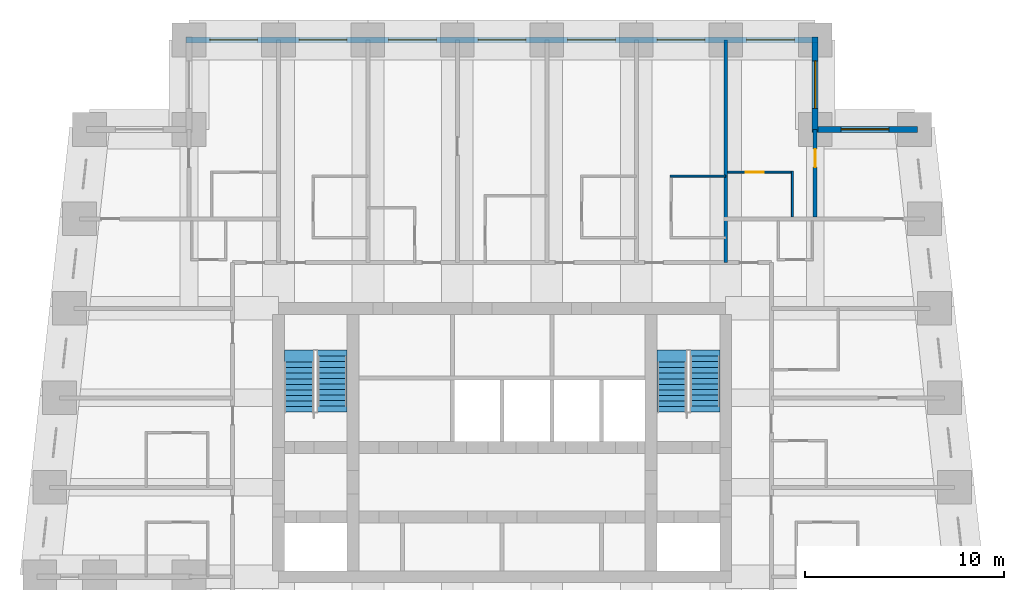
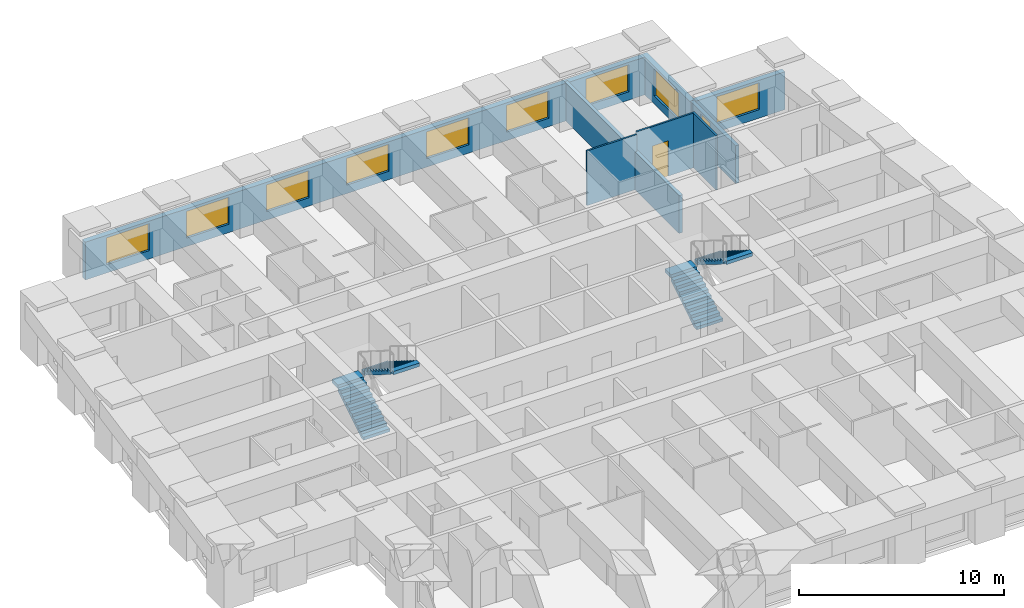
# One storey, part 7 of 8: 9 windows, 8 walls, 4 stair flights, 2 doors, 11 openings, 2 elements without a shape of their own.
"""IFC4 building model written with IfcOpenShell, lengths in metres."""

from ifc_helpers import new_model, si_unit, direction, frame, frame_2d, origin, place, context, subcontext, project, spatial, polyline, rectangle, outline, extrude, material, layer, layer_set, type_object, element, fill, aggregate, save


model = new_model("IFC4")

# Units and contexts
model_context = context("Model", 3, precision=1e-05, world=origin(), true_north=direction((0.0, 1.0)))
body_context = subcontext(model_context, "Body", "Model", "MODEL_VIEW")
ifc_project = project(units=[si_unit("LENGTHUNIT", "METRE"), si_unit("AREAUNIT", "SQUARE_METRE"), si_unit("VOLUMEUNIT", "CUBIC_METRE"), si_unit("PLANEANGLEUNIT", "RADIAN"), si_unit("MASSUNIT", "GRAM", prefix="KILO")], contexts=[model_context])

# Site, building, storey
site_placement = place(None, origin())
site = spatial("IfcSite", under=ifc_project, at=site_placement, CompositionType="ELEMENT")
building_placement = place(site_placement, origin())
building = spatial("IfcBuilding", under=site, at=building_placement, Name="Kilele Tower Hotel", CompositionType="ELEMENT")
storey_placement = place(building_placement, frame((0.0, 0.0, 162.39990234375)))
storey = spatial("IfcBuildingStorey", under=building, at=storey_placement, Name="L41", CompositionType="ELEMENT", Elevation=162.39990234375)

# Walls
ifc_material_1 = material(Name="Moisture-resistant board")
ifc_layer_1 = layer(ifc_material_1, 0.10009765625)
ifc_layer_set_1 = layer_set([ifc_layer_1], Name="Moisture-resistant board")
wall_type_1 = type_object("IfcWallType", Name="Bathroom partition 100", PredefinedType="PLUMBINGWALL", material=ifc_layer_set_1)
wall_1_placement = place(storey_placement, frame((33.199951171875, 33.64990234375, 0.0), z_axis=(0.0, 0.0, 1.0), x_axis=(1.0, 0.0, 0.0)))
element("IfcWall", 1, at=wall_1_placement, inside=storey, type_object=wall_type_1, Name="Bathroom partition 100 L41", PredefinedType="PLUMBINGWALL", context=body_context, shape_type="SweptSolid", body=[
    extrude(rectangle(XDim=2.800048828125, YDim=0.10009765625, at=frame_2d((1.39990234375, 0.0))), origin(), (0.0, 0.0, 1.0), 3.25),
])
wall_2_placement = place(storey_placement, frame((39.35009765625, 31.60009765625, 0.0), z_axis=(0.0, 0.0, 1.0), x_axis=(0.0, 1.0, 0.0)))
element("IfcWall", 2, at=wall_2_placement, inside=storey, type_object=wall_type_1, Name="Bathroom partition 100 L41", PredefinedType="PLUMBINGWALL", context=body_context, shape_type="SweptSolid", body=[
    extrude(rectangle(XDim=2.2998046875, YDim=0.10009765625, at=frame_2d((1.14990234375, 0.0))), origin(), (0.0, 0.0, 1.0), 3.25),
])

# Wall, opening, door
wall_3_placement = place(storey_placement, frame((36.10009765625, 33.85009765625, 0.0), z_axis=(0.0, 0.0, 1.0), x_axis=(1.0, 0.0, 0.0)))
wall_3 = element("IfcWall", 3, at=wall_3_placement, inside=storey, type_object=wall_type_1, Name="Bathroom partition 100 L41", PredefinedType="PLUMBINGWALL", context=body_context, shape_type="SweptSolid", body=[
    extrude(rectangle(XDim=3.2998046875, YDim=0.10009765625, at=frame_2d((1.64990234375, 0.0))), origin(), (0.0, 0.0, 1.0), 3.25),
])
opening_1_placement = place(wall_3_placement, frame((0.89990234375, 0.0, 0.0)))
opening_1 = element("IfcOpeningElement", 4, at=opening_1_placement, cuts=wall_3, Name="Opening D2A", PredefinedType="OPENING", context=body_context, shape_type="SweptSolid", body=[
    extrude(rectangle(XDim=0.89990234375, YDim=2.10009765625, at=frame_2d((0.449951171875, 1.050048828125))), frame((0.0, 0.06005859375, 0.0), z_axis=(0.0, -1.0, 0.0), x_axis=(1.0, 0.0, 0.0)), (0.0, 0.0, 1.0), 0.1201171875),
])
ifc_material_2 = material(Name="Timber door leaf in hardwood frame", Category="wood")
door_type_1 = type_object("IfcDoorType", Name="Bathroom door 900", OperationType="SINGLE_SWING_LEFT", PredefinedType="DOOR", material=ifc_material_2)
door_1_placement = place(opening_1_placement, origin())
door_1 = element("IfcDoor", 5, at=door_1_placement, inside=storey, type_object=door_type_1, Name="Bathroom door 4123B", OperationType="SINGLE_SWING_LEFT", OverallHeight=2.10009765625, OverallWidth=0.89990234375, PredefinedType="DOOR", context=body_context, shape_type="SweptSolid", body=[
    extrude(rectangle(XDim=0.89990234375, YDim=2.10009765625, at=frame_2d((0.449951171875, 1.050048828125))), frame((0.0, 0.02490234375, 0.0), z_axis=(0.0, -1.0, 0.0), x_axis=(1.0, 0.0, 0.0)), (0.0, 0.0, 1.0), 0.050048828125),
])
fill(opening_1, door_1)

ifc_material_3 = material(Name="Blockwork, plastered both sides", Category="masonry")
ifc_layer_2 = layer(ifc_material_3, 0.199951171875)
ifc_layer_set_2 = layer_set([ifc_layer_2], Name="Blockwork, plastered both sides")
wall_type_2 = type_object("IfcWallType", Name="Partition wall 200", PredefinedType="PARTITIONING", material=ifc_layer_set_2)
wall_4_placement = place(storey_placement, frame((40.5, 31.60009765625, 0.0), z_axis=(0.0, 0.0, 1.0), x_axis=(0.0, 1.0, 0.0)))
wall_4 = element("IfcWall", 6, at=wall_4_placement, inside=storey, type_object=wall_type_2, Name="Partition wall 200 L41", PredefinedType="PARTITIONING", context=body_context, shape_type="SweptSolid", body=[
    extrude(rectangle(XDim=4.39990234375, YDim=0.199951171875, at=frame_2d((2.199951171875, 0.0))), origin(), (0.0, 0.0, 1.0), 2.25),
])
opening_2_placement = place(wall_4_placement, frame((2.5, 0.0, 0.0)))
opening_2 = element("IfcOpeningElement", 7, at=opening_2_placement, cuts=wall_4, Name="Opening D3", PredefinedType="OPENING", context=body_context, shape_type="SweptSolid", body=[
    extrude(rectangle(XDim=0.89990234375, YDim=2.10009765625, at=frame_2d((0.449951171875, 1.050048828125))), frame((0.0, 0.10986328125, 0.0), z_axis=(0.0, -1.0, 0.0), x_axis=(1.0, 0.0, 0.0)), (0.0, 0.0, 1.0), 0.219970703125),
])
ifc_material_4 = material(Name="Timber door leaf in hardwood frame", Category="wood")
door_type_2 = type_object("IfcDoorType", Name="Suite internal door 900", OperationType="SINGLE_SWING_LEFT", PredefinedType="DOOR", material=ifc_material_4)
door_2_placement = place(opening_2_placement, origin())
door_2 = element("IfcDoor", 8, at=door_2_placement, inside=storey, type_object=door_type_2, Name="Suite door 4124", OperationType="SINGLE_SWING_RIGHT", OverallHeight=2.10009765625, OverallWidth=0.89990234375, PredefinedType="DOOR", context=body_context, shape_type="SweptSolid", body=[
    extrude(rectangle(XDim=0.89990234375, YDim=2.10009765625, at=frame_2d((0.449951171875, 1.050048828125))), frame((0.0, 0.02490234375, 0.0), z_axis=(0.0, -1.0, 0.0), x_axis=(1.0, 0.0, 0.0)), (0.0, 0.0, 1.0), 0.050048828125),
])
fill(opening_2, door_2)

# Wall
ifc_material_5 = material(Name="Blockwork, plastered both sides", Category="masonry")
ifc_layer_3 = layer(ifc_material_5, 0.199951171875)
ifc_layer_set_3 = layer_set([ifc_layer_3], Name="Blockwork, plastered both sides")
wall_type_3 = type_object("IfcWallType", Name="Party wall 200", PredefinedType="PARTITIONING", material=ifc_layer_set_3)
wall_5_placement = place(storey_placement, frame((36.0, 29.300048828125, 0.0), z_axis=(0.0, 0.0, 1.0), x_axis=(0.0, 1.0, 0.0)))
element("IfcWall", 9, at=wall_5_placement, inside=storey, type_object=wall_type_3, Name="Party wall 200 L41", PredefinedType="PARTITIONING", context=body_context, shape_type="SweptSolid", body=[
    extrude(rectangle(XDim=11.199951171875, YDim=0.199951171875, at=frame_2d((5.60009765625, 0.0))), origin(), (0.0, 0.0, 1.0), 2.25),
])

# Wall, opening, window
ifc_material_6 = material(Name="Concrete C40/50 precast", Category="concrete")
ifc_layer_4 = layer(ifc_material_6, 0.260009765625, Name="Precast backing", Category="LoadBearing")
ifc_material_7 = material(Name="Reconstituted stone finish", Category="masonry")
ifc_layer_5 = layer(ifc_material_7, 0.0400390625, Name="Face mix", Category="Finish")
ifc_layer_set_4 = layer_set([ifc_layer_4, ifc_layer_5], Name="Precast concrete C40/50, reconstituted stone finish")
wall_type_4 = type_object("IfcWallType", Name="Precast stone facade wall 300", PredefinedType="STANDARD", material=ifc_layer_set_4)
wall_6_placement = place(storey_placement, frame((45.64990234375, 36.0, 0.0), z_axis=(0.0, 0.0, 1.0), x_axis=(-1.0, 0.0, 0.0)))
wall_6 = element("IfcWall", 10, at=wall_6_placement, inside=storey, type_object=wall_type_4, Name="Facade wall L41 edge 7", PredefinedType="STANDARD", context=body_context, shape_type="SweptSolid", body=[
    extrude(rectangle(XDim=5.2998046875, YDim=0.300048828125, at=frame_2d((2.64990234375, 0.0))), origin(), (0.0, 0.0, 1.0), 2.25),
])
opening_3_placement = place(wall_6_placement, frame((1.449951171875, 0.0, 0.5)))
opening_3 = element("IfcOpeningElement", 11, at=opening_3_placement, cuts=wall_6, Name="Opening W3", PredefinedType="OPENING", context=body_context, shape_type="SweptSolid", body=[
    extrude(rectangle(XDim=2.39990234375, YDim=1.60009765625, at=frame_2d((1.199951171875, 0.800048828125))), frame((0.0, 0.159912109375, 0.0), z_axis=(0.0, -1.0, 0.0), x_axis=(1.0, 0.0, 0.0)), (0.0, 0.0, 1.0), 0.320068359375),
])
ifc_material_8 = material(Name="Aluminium frame, clear double glazing", Category="aluminium")
window_type = type_object("IfcWindowType", Name="Window W3 2400 x 1600", PartitioningType="SINGLE_PANEL", PredefinedType="WINDOW", material=ifc_material_8)
window_1_placement = place(opening_3_placement, origin())
window_1 = element("IfcWindow", 12, at=window_1_placement, inside=storey, type_object=window_type, Name="Window L41", OverallHeight=1.60009765625, OverallWidth=2.39990234375, PartitioningType="SINGLE_PANEL", PredefinedType="WINDOW", context=body_context, shape_type="SweptSolid", body=[
    extrude(rectangle(XDim=2.39990234375, YDim=1.60009765625, at=frame_2d((1.199951171875, 0.800048828125))), frame((0.0, 0.030029296875, 0.0), z_axis=(0.0, -1.0, 0.0), x_axis=(1.0, 0.0, 0.0)), (0.0, 0.0, 1.0), 0.06005859375),
])
fill(opening_3, window_1)

wall_7_placement = place(storey_placement, frame((40.5, 35.85009765625, 0.0), z_axis=(0.0, 0.0, 1.0), x_axis=(0.0, 1.0, 0.0)))
wall_7 = element("IfcWall", 13, at=wall_7_placement, inside=storey, type_object=wall_type_4, Name="Facade wall L41 edge 8", PredefinedType="STANDARD", context=body_context, shape_type="SweptSolid", body=[
    extrude(rectangle(XDim=4.7998046875, YDim=0.300048828125, at=frame_2d((2.39990234375, 0.0))), origin(), (0.0, 0.0, 1.0), 2.25),
])
opening_4_placement = place(wall_7_placement, frame((1.199951171875, 0.0, 0.5)))
opening_4 = element("IfcOpeningElement", 14, at=opening_4_placement, cuts=wall_7, Name="Opening W3", PredefinedType="OPENING", context=body_context, shape_type="SweptSolid", body=[
    extrude(rectangle(XDim=2.39990234375, YDim=1.60009765625, at=frame_2d((1.199951171875, 0.800048828125))), frame((0.0, 0.159912109375, 0.0), z_axis=(0.0, -1.0, 0.0), x_axis=(1.0, 0.0, 0.0)), (0.0, 0.0, 1.0), 0.320068359375),
])
window_2_placement = place(opening_4_placement, origin())
window_2 = element("IfcWindow", 15, at=window_2_placement, inside=storey, type_object=window_type, Name="Window L41", OverallHeight=1.60009765625, OverallWidth=2.39990234375, PartitioningType="SINGLE_PANEL", PredefinedType="WINDOW", context=body_context, shape_type="SweptSolid", body=[
    extrude(rectangle(XDim=2.39990234375, YDim=1.60009765625, at=frame_2d((1.199951171875, 0.800048828125))), frame((0.0, 0.030029296875, 0.0), z_axis=(0.0, -1.0, 0.0), x_axis=(1.0, 0.0, 0.0)), (0.0, 0.0, 1.0), 0.06005859375),
])
fill(opening_4, window_2)

# Wall, openings, windows
wall_8_placement = place(storey_placement, frame((40.64990234375, 40.5, 0.0), z_axis=(0.0, 0.0, 1.0), x_axis=(-1.0, 0.0, 0.0)))
wall_8 = element("IfcWall", 16, at=wall_8_placement, inside=storey, type_object=wall_type_4, Name="Facade wall L41 edge 9", PredefinedType="STANDARD", context=body_context, shape_type="SweptSolid", body=[
    extrude(rectangle(XDim=31.7998046875, YDim=0.300048828125, at=frame_2d((15.89990234375, 0.0))), origin(), (0.0, 0.0, 1.0), 2.25),
])
opening_5_placement = place(wall_8_placement, frame((1.199951171875, 0.0, 0.5)))
opening_5 = element("IfcOpeningElement", 17, at=opening_5_placement, cuts=wall_8, Name="Opening W3", PredefinedType="OPENING", context=body_context, shape_type="SweptSolid", body=[
    extrude(rectangle(XDim=2.39990234375, YDim=1.60009765625, at=frame_2d((1.199951171875, 0.800048828125))), frame((0.0, 0.159912109375, 0.0), z_axis=(0.0, -1.0, 0.0), x_axis=(1.0, 0.0, 0.0)), (0.0, 0.0, 1.0), 0.320068359375),
])
opening_6_placement = place(wall_8_placement, frame((5.699951171875, 0.0, 0.5)))
opening_6 = element("IfcOpeningElement", 18, at=opening_6_placement, cuts=wall_8, Name="Opening W3", PredefinedType="OPENING", context=body_context, shape_type="SweptSolid", body=[
    extrude(rectangle(XDim=2.39990234375, YDim=1.60009765625, at=frame_2d((1.199951171875, 0.800048828125))), frame((0.0, 0.159912109375, 0.0), z_axis=(0.0, -1.0, 0.0), x_axis=(1.0, 0.0, 0.0)), (0.0, 0.0, 1.0), 0.320068359375),
])
opening_7_placement = place(wall_8_placement, frame((10.199951171875, 0.0, 0.5)))
opening_7 = element("IfcOpeningElement", 19, at=opening_7_placement, cuts=wall_8, Name="Opening W3", PredefinedType="OPENING", context=body_context, shape_type="SweptSolid", body=[
    extrude(rectangle(XDim=2.39990234375, YDim=1.60009765625, at=frame_2d((1.199951171875, 0.800048828125))), frame((0.0, 0.159912109375, 0.0), z_axis=(0.0, -1.0, 0.0), x_axis=(1.0, 0.0, 0.0)), (0.0, 0.0, 1.0), 0.320068359375),
])
opening_8_placement = place(wall_8_placement, frame((14.699951171875, 0.0, 0.5)))
opening_8 = element("IfcOpeningElement", 20, at=opening_8_placement, cuts=wall_8, Name="Opening W3", PredefinedType="OPENING", context=body_context, shape_type="SweptSolid", body=[
    extrude(rectangle(XDim=2.39990234375, YDim=1.60009765625, at=frame_2d((1.199951171875, 0.800048828125))), frame((0.0, 0.159912109375, 0.0), z_axis=(0.0, -1.0, 0.0), x_axis=(1.0, 0.0, 0.0)), (0.0, 0.0, 1.0), 0.320068359375),
])
opening_9_placement = place(wall_8_placement, frame((19.199951171875, 0.0, 0.5)))
opening_9 = element("IfcOpeningElement", 21, at=opening_9_placement, cuts=wall_8, Name="Opening W3", PredefinedType="OPENING", context=body_context, shape_type="SweptSolid", body=[
    extrude(rectangle(XDim=2.39990234375, YDim=1.60009765625, at=frame_2d((1.199951171875, 0.800048828125))), frame((0.0, 0.159912109375, 0.0), z_axis=(0.0, -1.0, 0.0), x_axis=(1.0, 0.0, 0.0)), (0.0, 0.0, 1.0), 0.320068359375),
])
opening_10_placement = place(wall_8_placement, frame((23.699951171875, 0.0, 0.5)))
opening_10 = element("IfcOpeningElement", 22, at=opening_10_placement, cuts=wall_8, Name="Opening W3", PredefinedType="OPENING", context=body_context, shape_type="SweptSolid", body=[
    extrude(rectangle(XDim=2.39990234375, YDim=1.60009765625, at=frame_2d((1.199951171875, 0.800048828125))), frame((0.0, 0.159912109375, 0.0), z_axis=(0.0, -1.0, 0.0), x_axis=(1.0, 0.0, 0.0)), (0.0, 0.0, 1.0), 0.320068359375),
])
opening_11_placement = place(wall_8_placement, frame((28.199951171875, 0.0, 0.5)))
opening_11 = element("IfcOpeningElement", 23, at=opening_11_placement, cuts=wall_8, Name="Opening W3", PredefinedType="OPENING", context=body_context, shape_type="SweptSolid", body=[
    extrude(rectangle(XDim=2.39990234375, YDim=1.60009765625, at=frame_2d((1.199951171875, 0.800048828125))), frame((0.0, 0.159912109375, 0.0), z_axis=(0.0, -1.0, 0.0), x_axis=(1.0, 0.0, 0.0)), (0.0, 0.0, 1.0), 0.320068359375),
])
window_3_placement = place(opening_5_placement, origin())
window_3 = element("IfcWindow", 24, at=window_3_placement, inside=storey, type_object=window_type, Name="Window L41", OverallHeight=1.60009765625, OverallWidth=2.39990234375, PartitioningType="SINGLE_PANEL", PredefinedType="WINDOW", context=body_context, shape_type="SweptSolid", body=[
    extrude(rectangle(XDim=2.39990234375, YDim=1.60009765625, at=frame_2d((1.199951171875, 0.800048828125))), frame((0.0, 0.030029296875, 0.0), z_axis=(0.0, -1.0, 0.0), x_axis=(1.0, 0.0, 0.0)), (0.0, 0.0, 1.0), 0.06005859375),
])
fill(opening_5, window_3)
window_4_placement = place(opening_6_placement, origin())
window_4 = element("IfcWindow", 25, at=window_4_placement, inside=storey, type_object=window_type, Name="Window L41", OverallHeight=1.60009765625, OverallWidth=2.39990234375, PartitioningType="SINGLE_PANEL", PredefinedType="WINDOW", context=body_context, shape_type="SweptSolid", body=[
    extrude(rectangle(XDim=2.39990234375, YDim=1.60009765625, at=frame_2d((1.199951171875, 0.800048828125))), frame((0.0, 0.030029296875, 0.0), z_axis=(0.0, -1.0, 0.0), x_axis=(1.0, 0.0, 0.0)), (0.0, 0.0, 1.0), 0.06005859375),
])
fill(opening_6, window_4)
window_5_placement = place(opening_7_placement, origin())
window_5 = element("IfcWindow", 26, at=window_5_placement, inside=storey, type_object=window_type, Name="Window L41", OverallHeight=1.60009765625, OverallWidth=2.39990234375, PartitioningType="SINGLE_PANEL", PredefinedType="WINDOW", context=body_context, shape_type="SweptSolid", body=[
    extrude(rectangle(XDim=2.39990234375, YDim=1.60009765625, at=frame_2d((1.199951171875, 0.800048828125))), frame((0.0, 0.030029296875, 0.0), z_axis=(0.0, -1.0, 0.0), x_axis=(1.0, 0.0, 0.0)), (0.0, 0.0, 1.0), 0.06005859375),
])
fill(opening_7, window_5)
window_6_placement = place(opening_8_placement, origin())
window_6 = element("IfcWindow", 27, at=window_6_placement, inside=storey, type_object=window_type, Name="Window L41", OverallHeight=1.60009765625, OverallWidth=2.39990234375, PartitioningType="SINGLE_PANEL", PredefinedType="WINDOW", context=body_context, shape_type="SweptSolid", body=[
    extrude(rectangle(XDim=2.39990234375, YDim=1.60009765625, at=frame_2d((1.199951171875, 0.800048828125))), frame((0.0, 0.030029296875, 0.0), z_axis=(0.0, -1.0, 0.0), x_axis=(1.0, 0.0, 0.0)), (0.0, 0.0, 1.0), 0.06005859375),
])
fill(opening_8, window_6)
window_7_placement = place(opening_9_placement, origin())
window_7 = element("IfcWindow", 28, at=window_7_placement, inside=storey, type_object=window_type, Name="Window L41", OverallHeight=1.60009765625, OverallWidth=2.39990234375, PartitioningType="SINGLE_PANEL", PredefinedType="WINDOW", context=body_context, shape_type="SweptSolid", body=[
    extrude(rectangle(XDim=2.39990234375, YDim=1.60009765625, at=frame_2d((1.199951171875, 0.800048828125))), frame((0.0, 0.030029296875, 0.0), z_axis=(0.0, -1.0, 0.0), x_axis=(1.0, 0.0, 0.0)), (0.0, 0.0, 1.0), 0.06005859375),
])
fill(opening_9, window_7)
window_8_placement = place(opening_10_placement, origin())
window_8 = element("IfcWindow", 29, at=window_8_placement, inside=storey, type_object=window_type, Name="Window L41", OverallHeight=1.60009765625, OverallWidth=2.39990234375, PartitioningType="SINGLE_PANEL", PredefinedType="WINDOW", context=body_context, shape_type="SweptSolid", body=[
    extrude(rectangle(XDim=2.39990234375, YDim=1.60009765625, at=frame_2d((1.199951171875, 0.800048828125))), frame((0.0, 0.030029296875, 0.0), z_axis=(0.0, -1.0, 0.0), x_axis=(1.0, 0.0, 0.0)), (0.0, 0.0, 1.0), 0.06005859375),
])
fill(opening_10, window_8)
window_9_placement = place(opening_11_placement, origin())
window_9 = element("IfcWindow", 30, at=window_9_placement, inside=storey, type_object=window_type, Name="Window L41", OverallHeight=1.60009765625, OverallWidth=2.39990234375, PartitioningType="SINGLE_PANEL", PredefinedType="WINDOW", context=body_context, shape_type="SweptSolid", body=[
    extrude(rectangle(XDim=2.39990234375, YDim=1.60009765625, at=frame_2d((1.199951171875, 0.800048828125))), frame((0.0, 0.030029296875, 0.0), z_axis=(0.0, -1.0, 0.0), x_axis=(1.0, 0.0, 0.0)), (0.0, 0.0, 1.0), 0.06005859375),
])
fill(opening_11, window_9)

# Stair, stair flights
ifc_material_9 = material(Name="Precast concrete C40/50", Category="concrete")
stair_type = type_object("IfcStairType", Name="Stair 1475 x 3500", PredefinedType="HALF_TURN_STAIR", material=ifc_material_9)
stair_1_placement = place(storey_placement, origin())
stair_1 = element("IfcStair", 31, at=stair_1_placement, inside=storey, type_object=stair_type, Name="Stair 1 L41", PredefinedType="HALF_TURN_STAIR")
ifc_material_10 = material(Name="Precast concrete C40/50", Category="concrete")
stair_flight_type = type_object("IfcStairFlightType", Name="Flight 1475 riser 175.0", PredefinedType="STRAIGHT", material=ifc_material_10)
stair_flight_1_placement = place(storey_placement, frame((14.53759765625, 21.77490234375, 0.0), z_axis=(0.0, 0.0, 1.0), x_axis=(0.0, 1.0, 0.0)))
stair_flight_1 = element("IfcStairFlight", 32, at=stair_flight_1_placement, type_object=stair_flight_type, Name="ST1 flight 1", NumberOfRisers=10, NumberOfTreads=9, PredefinedType="STRAIGHT", RiserHeight=0.175, TreadLength=0.28, context=body_context, shape_type="SweptSolid", body=[
    extrude(outline(polyline([(0.0, 0.0), (0.0, 0.175048828125), (0.280029296875, 0.175048828125), (0.280029296875, 0.35009765625), (0.56005859375, 0.35009765625), (0.56005859375, 0.52490234375), (0.840087890625, 0.52490234375), (0.840087890625, 0.699951171875), (1.1201171875, 0.699951171875), (1.1201171875, 0.875), (1.39990234375, 0.875), (1.39990234375, 1.050048828125), (1.679931640625, 1.050048828125), (1.679931640625, 1.22509765625), (1.9599609375, 1.22509765625), (1.9599609375, 1.39990234375), (2.239990234375, 1.39990234375), (2.239990234375, 1.574951171875), (2.52001953125, 1.574951171875), (2.52001953125, 1.75), (2.52001953125, 1.398193359375), (0.28271484375, 0.0), (0.0, 0.0)])), frame((0.0, 0.737548828125, 0.0), z_axis=(0.0, -1.0, 0.0), x_axis=(1.0, 0.0, 0.0)), (0.0, 0.0, 1.0), 1.47509765625),
    extrude(outline(polyline([(2.52001953125, 0.737548828125), (2.52001953125, -0.7373046875), (3.1201171875, -0.7373046875), (3.1201171875, 0.737548828125), (2.52001953125, 0.737548828125)])), frame((0.0, 0.0, 1.550048828125)), (0.0, 0.0, 1.0), 0.199951171875),
])
stair_flight_2_placement = place(storey_placement, frame((16.21240234375, 24.594970703125, 1.75), z_axis=(0.0, 0.0, 1.0), x_axis=(0.0, -1.0, 0.0)))
stair_flight_2 = element("IfcStairFlight", 33, at=stair_flight_2_placement, type_object=stair_flight_type, Name="ST1 flight 2", NumberOfRisers=10, NumberOfTreads=9, PredefinedType="STRAIGHT", RiserHeight=0.175, TreadLength=0.28, context=body_context, shape_type="SweptSolid", body=[
    extrude(outline(polyline([(0.0, 0.0), (0.0, 0.175048828125), (0.280029296875, 0.175048828125), (0.280029296875, 0.35009765625), (0.56005859375, 0.35009765625), (0.56005859375, 0.52490234375), (0.840087890625, 0.52490234375), (0.840087890625, 0.699951171875), (1.1201171875, 0.699951171875), (1.1201171875, 0.875), (1.39990234375, 0.875), (1.39990234375, 1.050048828125), (1.679931640625, 1.050048828125), (1.679931640625, 1.22509765625), (1.9599609375, 1.22509765625), (1.9599609375, 1.39990234375), (2.239990234375, 1.39990234375), (2.239990234375, 1.574951171875), (2.52001953125, 1.574951171875), (2.52001953125, 1.75), (2.52001953125, 1.398193359375), (0.28271484375, 0.0), (0.0, 0.0)])), frame((0.0, 0.737548828125, 0.0), z_axis=(0.0, -1.0, 0.0), x_axis=(1.0, 0.0, 0.0)), (0.0, 0.0, 1.0), 1.47509765625),
    extrude(outline(polyline([(0.0, -0.7373046875), (0.0, 0.737548828125), (-0.300048828125, 0.737548828125), (-0.300048828125, -0.7373046875), (0.0, -0.7373046875)])), frame((0.0, 0.0, -0.199951171875)), (0.0, 0.0, 1.0), 0.199951171875),
    extrude(outline(polyline([(2.820068359375, -0.7373046875), (2.820068359375, 0.737548828125), (2.52001953125, 0.737548828125), (2.52001953125, -0.7373046875), (2.820068359375, -0.7373046875)])), frame((0.0, 0.0, 1.550048828125)), (0.0, 0.0, 1.0), 0.199951171875),
])
aggregate(stair_1, [stair_flight_1, stair_flight_2])

stair_2_placement = place(storey_placement, origin())
stair_2 = element("IfcStair", 34, at=stair_2_placement, inside=storey, type_object=stair_type, Name="Stair 2 L41", PredefinedType="HALF_TURN_STAIR")
stair_flight_3_placement = place(storey_placement, frame((33.28759765625, 21.77490234375, 0.0), z_axis=(0.0, 0.0, 1.0), x_axis=(0.0, 1.0, 0.0)))
stair_flight_3 = element("IfcStairFlight", 35, at=stair_flight_3_placement, type_object=stair_flight_type, Name="ST2 flight 1", NumberOfRisers=10, NumberOfTreads=9, PredefinedType="STRAIGHT", RiserHeight=0.175, TreadLength=0.28, context=body_context, shape_type="SweptSolid", body=[
    extrude(outline(polyline([(0.0, 0.0), (0.0, 0.175048828125), (0.280029296875, 0.175048828125), (0.280029296875, 0.35009765625), (0.56005859375, 0.35009765625), (0.56005859375, 0.52490234375), (0.840087890625, 0.52490234375), (0.840087890625, 0.699951171875), (1.1201171875, 0.699951171875), (1.1201171875, 0.875), (1.39990234375, 0.875), (1.39990234375, 1.050048828125), (1.679931640625, 1.050048828125), (1.679931640625, 1.22509765625), (1.9599609375, 1.22509765625), (1.9599609375, 1.39990234375), (2.239990234375, 1.39990234375), (2.239990234375, 1.574951171875), (2.52001953125, 1.574951171875), (2.52001953125, 1.75), (2.52001953125, 1.398193359375), (0.28271484375, 0.0), (0.0, 0.0)])), frame((0.0, 0.737548828125, 0.0), z_axis=(0.0, -1.0, 0.0), x_axis=(1.0, 0.0, 0.0)), (0.0, 0.0, 1.0), 1.47509765625),
    extrude(outline(polyline([(2.52001953125, 0.737548828125), (2.52001953125, -0.7373046875), (3.1201171875, -0.7373046875), (3.1201171875, 0.737548828125), (2.52001953125, 0.737548828125)])), frame((0.0, 0.0, 1.550048828125)), (0.0, 0.0, 1.0), 0.199951171875),
])
stair_flight_4_placement = place(storey_placement, frame((34.96240234375, 24.594970703125, 1.75), z_axis=(0.0, 0.0, 1.0), x_axis=(0.0, -1.0, 0.0)))
stair_flight_4 = element("IfcStairFlight", 36, at=stair_flight_4_placement, type_object=stair_flight_type, Name="ST2 flight 2", NumberOfRisers=10, NumberOfTreads=9, PredefinedType="STRAIGHT", RiserHeight=0.175, TreadLength=0.28, context=body_context, shape_type="SweptSolid", body=[
    extrude(outline(polyline([(0.0, 0.0), (0.0, 0.175048828125), (0.280029296875, 0.175048828125), (0.280029296875, 0.35009765625), (0.56005859375, 0.35009765625), (0.56005859375, 0.52490234375), (0.840087890625, 0.52490234375), (0.840087890625, 0.699951171875), (1.1201171875, 0.699951171875), (1.1201171875, 0.875), (1.39990234375, 0.875), (1.39990234375, 1.050048828125), (1.679931640625, 1.050048828125), (1.679931640625, 1.22509765625), (1.9599609375, 1.22509765625), (1.9599609375, 1.39990234375), (2.239990234375, 1.39990234375), (2.239990234375, 1.574951171875), (2.52001953125, 1.574951171875), (2.52001953125, 1.75), (2.52001953125, 1.398193359375), (0.28271484375, 0.0), (0.0, 0.0)])), frame((0.0, 0.737548828125, 0.0), z_axis=(0.0, -1.0, 0.0), x_axis=(1.0, 0.0, 0.0)), (0.0, 0.0, 1.0), 1.47509765625),
    extrude(outline(polyline([(0.0, -0.7373046875), (0.0, 0.737548828125), (-0.300048828125, 0.737548828125), (-0.300048828125, -0.7373046875), (0.0, -0.7373046875)])), frame((0.0, 0.0, -0.199951171875)), (0.0, 0.0, 1.0), 0.199951171875),
    extrude(outline(polyline([(2.820068359375, -0.7373046875), (2.820068359375, 0.737548828125), (2.52001953125, 0.737548828125), (2.52001953125, -0.7373046875), (2.820068359375, -0.7373046875)])), frame((0.0, 0.0, 1.550048828125)), (0.0, 0.0, 1.0), 0.199951171875),
])
aggregate(stair_2, [stair_flight_3, stair_flight_4])

save(model, "model.ifc")
